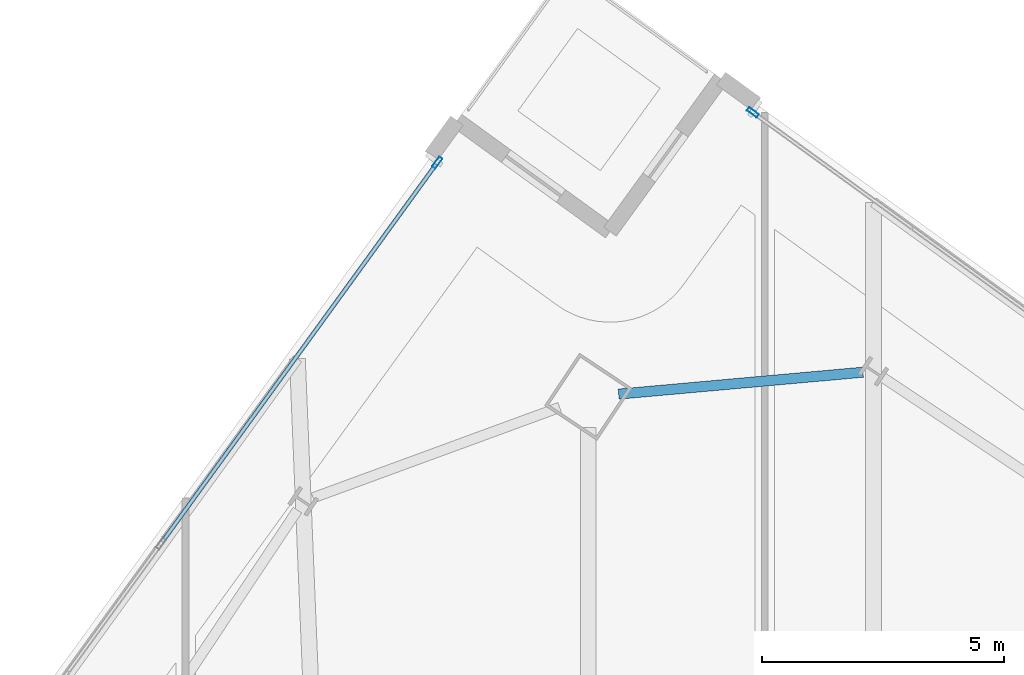
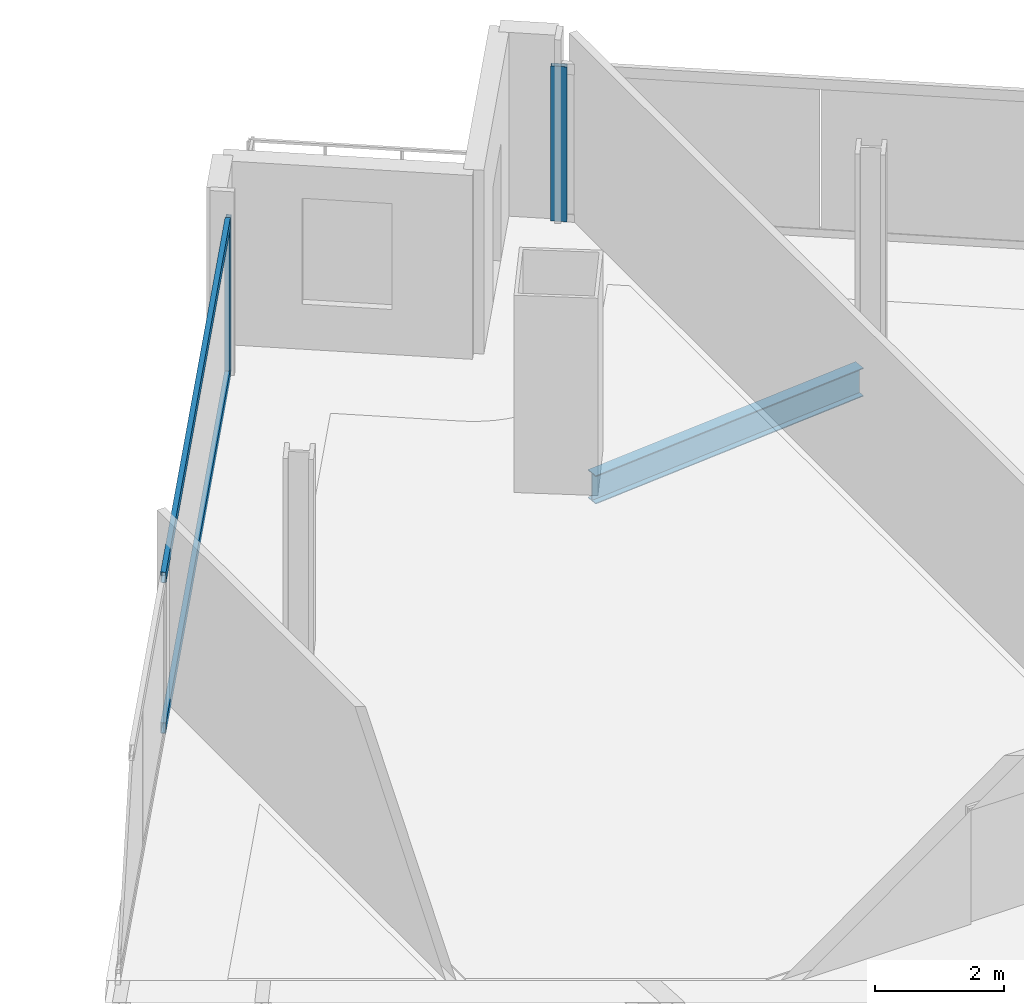
# One storey, part 15 of 29: 4 members, 1 beam, 2 elements without a shape of their own.
"""IFC4 building model written with IfcOpenShell, lengths in metres."""

from ifc_helpers import new_model, si_unit, direction, frame, origin, origin_2d, place, context, subcontext, project, spatial, hollow_rectangle, i_section, extrude, material, material_profile, profile_set, type_object, element, aggregate, save


model = new_model("IFC4")

# Units and contexts
model_context = context("Model", 3, precision=1e-05, world=origin(), true_north=direction((0.0, 1.0)))
body_context = subcontext(model_context, "Body", "Model", "MODEL_VIEW")
ifc_project = project(units=[si_unit("LENGTHUNIT", "METRE"), si_unit("AREAUNIT", "SQUARE_METRE"), si_unit("VOLUMEUNIT", "CUBIC_METRE"), si_unit("PLANEANGLEUNIT", "RADIAN"), si_unit("MASSUNIT", "GRAM", prefix="KILO")], contexts=[model_context])

# Site, building, storey
site_placement = place(None, origin())
site = spatial("IfcSite", under=ifc_project, at=site_placement, CompositionType="ELEMENT")
building_placement = place(site_placement, origin())
building = spatial("IfcBuilding", under=site, at=building_placement, Name="Haldenkirk Collegiate Tower", CompositionType="ELEMENT")
storey_placement = place(building_placement, frame((0.0, 0.0, 209.699951171875)))
storey = spatial("IfcBuildingStorey", under=building, at=storey_placement, Name="L52", CompositionType="ELEMENT", Elevation=209.699951171875)

# Beam
ifc_material_1 = material(Name="Steel ASTM A992 Grade 50", Category="steel")
ifc_material_profile_1 = material_profile(ifc_material_1, i_section(OverallWidth=0.2099609375, OverallDepth=0.537109375, WebThickness=0.010986328125, FlangeThickness=0.017333984375, at=origin_2d()), Name="W21X68")
ifc_profile_set_1 = profile_set([ifc_material_profile_1], Name="Steel ASTM A992 Grade 50")
beam_type = type_object("IfcBeamType", Name="BM-SPANDREL-W21X68", PredefinedType="SPANDREL", material=ifc_profile_set_1)
beam_placement = place(storey_placement, frame((37.9765625, 50.649169921875, -0.54833984375), z_axis=(-0.996001224794, -0.089339578066, 0.0), x_axis=(0.089339578066, -0.996001224794, 0.0)))
element("IfcBeam", 1, at=beam_placement, inside=storey, type_object=beam_type, Name="L52 perimeter spandrel beam 08", PredefinedType="SPANDREL", context=body_context, shape_type="SweptSolid", body=[
    extrude(i_section(OverallWidth=0.2099609375, OverallDepth=0.537109375, WebThickness=0.010986328125, FlangeThickness=0.017333984375, at=origin_2d()), origin(), (0.0, 0.0, 1.0), 5.06103515625),
])

# Curtain wall, member
ifc_material_2 = material(Name="Anodised architectural bronze aluminium", Category="aluminium")
curtain_wall_type = type_object("IfcCurtainWallType", Name="CW-SYS1B-CONVEX-HI", PredefinedType="USERDEFINED", material=ifc_material_2)
curtain_wall_1_placement = place(storey_placement, origin())
curtain_wall_1 = element("IfcCurtainWall", 2, at=curtain_wall_1_placement, inside=storey, type_object=curtain_wall_type, Name="L52 Upper tower high-wind convex bronze unitised curtain wall", ObjectType="UNITISED CURTAIN WALL", PredefinedType="USERDEFINED")
ifc_material_profile_2 = material_profile(ifc_material_2, hollow_rectangle(XDim=0.0849609375, YDim=0.25, WallThickness=0.0048828125, at=origin_2d()), Name="CW-MUL-1B")
ifc_profile_set_2 = profile_set([ifc_material_profile_2], Name="Anodised architectural bronze aluminium")
member_type_1 = type_object("IfcMemberType", Name="CW-MUL-1B", PredefinedType="MULLION", material=ifc_profile_set_2)
member_1_placement = place(storey_placement, frame((35.7041015625, 56.009765625, 0.0), z_axis=(0.0, 0.0, 1.0), x_axis=(0.587080258293, 0.809528733476, 0.0)))
member_1 = element("IfcMember", 3, at=member_1_placement, type_object=member_type_1, Name="CW-1B mullion 1", PredefinedType="MULLION", context=body_context, shape_type="SweptSolid", body=[
    extrude(hollow_rectangle(XDim=0.0849609375, YDim=0.25, WallThickness=0.0048828125, at=origin_2d()), origin(), (0.0, 0.0, 1.0), 2.927978515625),
])
aggregate(curtain_wall_1, [member_1])

# Curtain wall, members
curtain_wall_2_placement = place(storey_placement, origin())
curtain_wall_2 = element("IfcCurtainWall", 4, at=curtain_wall_2_placement, inside=storey, type_object=curtain_wall_type, Name="L52 Upper tower high-wind convex bronze unitised curtain wall", ObjectType="UNITISED CURTAIN WALL", PredefinedType="USERDEFINED")
member_2_placement = place(storey_placement, frame((29.1923828125, 54.972412109375, 0.0), z_axis=(0.0, 0.0, 1.0), x_axis=(-0.809530136463, 0.5870783237, 0.0)))
member_2 = element("IfcMember", 5, at=member_2_placement, type_object=member_type_1, Name="CW-1B mullion 5", PredefinedType="MULLION", context=body_context, shape_type="SweptSolid", body=[
    extrude(hollow_rectangle(XDim=0.0849609375, YDim=0.25, WallThickness=0.0048828125, at=origin_2d()), origin(), (0.0, 0.0, 1.0), 2.927978515625),
])
ifc_material_profile_3 = material_profile(ifc_material_2, hollow_rectangle(XDim=0.0849609375, YDim=0.199951171875, WallThickness=0.0048828125, at=origin_2d()), Name="CW-TRN-1B")
ifc_profile_set_3 = profile_set([ifc_material_profile_3], Name="Anodised architectural bronze aluminium")
member_type_2 = type_object("IfcMemberType", Name="CW-TRN-1B", PredefinedType="USERDEFINED", material=ifc_profile_set_3)
member_3_placement = place(storey_placement, frame((23.518310546875, 47.148193359375, 0.04248046875), z_axis=(0.587074416196, 0.809532970205, 0.0), x_axis=(-0.809532970205, 0.587074416196, 0.0)))
member_3 = element("IfcMember", 6, at=member_3_placement, type_object=member_type_2, Name="CW-1B transom 4.1", ObjectType="TRANSOM", PredefinedType="USERDEFINED", context=body_context, shape_type="SweptSolid", body=[
    extrude(hollow_rectangle(XDim=0.0849609375, YDim=0.199951171875, WallThickness=0.0048828125, at=origin_2d()), origin(), (0.0, 0.0, 1.0), 9.62255859375),
])
member_4_placement = place(storey_placement, frame((23.518310546875, 47.148193359375, 2.885498046875), z_axis=(0.587074416196, 0.809532970205, 0.0), x_axis=(-0.809532970205, 0.587074416196, 0.0)))
member_4 = element("IfcMember", 7, at=member_4_placement, type_object=member_type_2, Name="CW-1B transom 4.2", ObjectType="TRANSOM", PredefinedType="USERDEFINED", context=body_context, shape_type="SweptSolid", body=[
    extrude(hollow_rectangle(XDim=0.0849609375, YDim=0.199951171875, WallThickness=0.0048828125, at=origin_2d()), origin(), (0.0, 0.0, 1.0), 9.62255859375),
])
aggregate(curtain_wall_2, [member_2, member_3, member_4])

save(model, "model.ifc")
